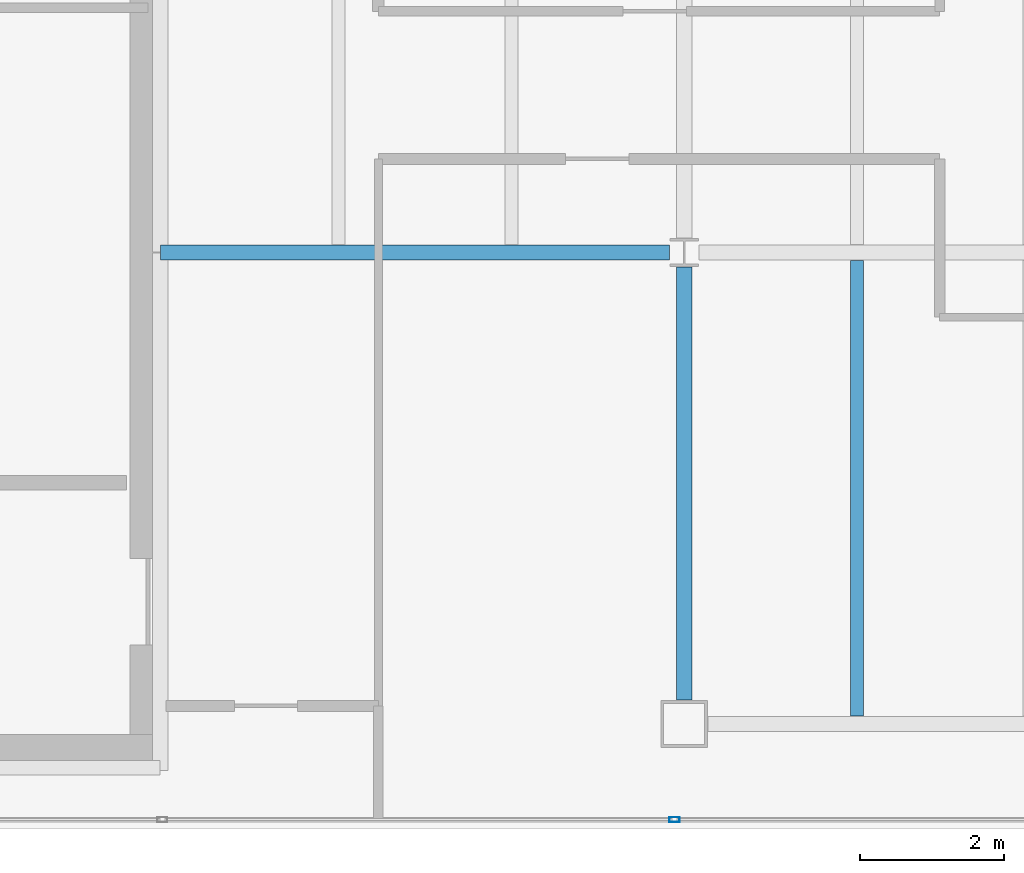
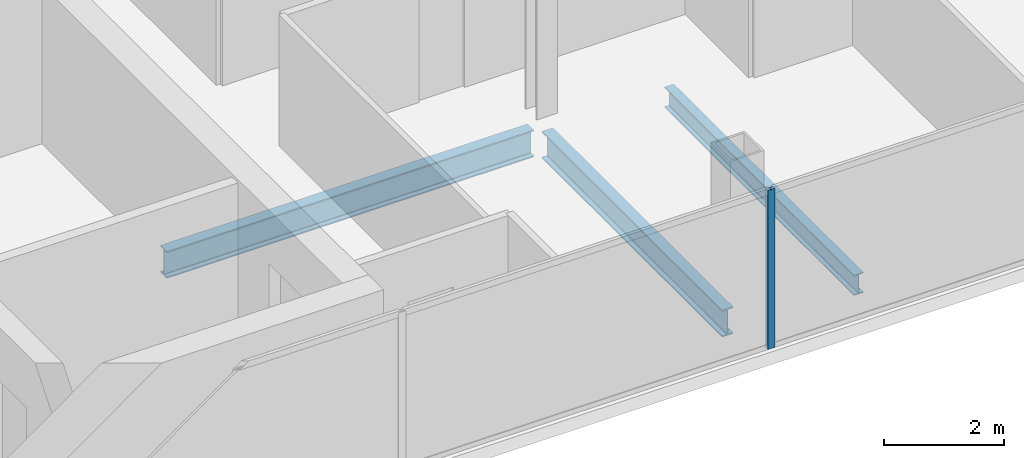
# One storey, part 5 of 23: 3 beams, 1 member, 1 element without a shape of its own.
"""IFC4 building model written with IfcOpenShell, lengths in metres."""

from ifc_helpers import new_model, si_unit, direction, frame, origin, origin_2d, place, context, subcontext, project, spatial, hollow_rectangle, i_section, extrude, material, material_profile, profile_set, type_object, element, aggregate, save


model = new_model("IFC4")

# Units and contexts
model_context = context("Model", 3, precision=1e-05, world=origin(), true_north=direction((0.0, 1.0)))
body_context = subcontext(model_context, "Body", "Model", "MODEL_VIEW")
ifc_project = project(units=[si_unit("LENGTHUNIT", "METRE"), si_unit("AREAUNIT", "SQUARE_METRE"), si_unit("VOLUMEUNIT", "CUBIC_METRE"), si_unit("PLANEANGLEUNIT", "RADIAN"), si_unit("MASSUNIT", "GRAM", prefix="KILO")], contexts=[model_context])

# Site, building, storey
site_placement = place(None, origin())
site = spatial("IfcSite", under=ifc_project, at=site_placement, CompositionType="ELEMENT")
building_placement = place(site_placement, origin())
building = spatial("IfcBuilding", under=site, at=building_placement, Name="Cobrela Telecom Tower", CompositionType="ELEMENT")
storey_placement = place(building_placement, frame((0.0, 0.0, 283.14990234375)))
storey = spatial("IfcBuildingStorey", under=building, at=storey_placement, Name="L74", CompositionType="ELEMENT", Elevation=283.14990234375)

# Beams
ifc_material_1 = material(Name="Steel ASTM A992 Grade 50", Category="steel")
ifc_material_profile_1 = material_profile(ifc_material_1, i_section(OverallWidth=0.212890625, OverallDepth=0.549072265625, WebThickness=0.0146484375, FlangeThickness=0.023681640625, FilletRadius=0.013916015625, at=origin_2d()), Name="W21X93")
ifc_profile_set_1 = profile_set([ifc_material_profile_1], Name="Steel ASTM A992 Grade 50")
beam_type_1 = type_object("IfcBeamType", Name="BM-GIRD-08", PredefinedType="USERDEFINED", material=ifc_profile_set_1)
beam_1_placement = place(storey_placement, frame((14.324951171875, 14.39990234375, -0.534423828125), z_axis=(1.0, 0.0, 0.0), x_axis=(0.0, 1.0, 0.0)))
element("IfcBeam", 1, at=beam_1_placement, inside=storey, type_object=beam_type_1, Name="L74 Primary Girder X05", ObjectType="GIRDER", PredefinedType="USERDEFINED", context=body_context, shape_type="SweptSolid", body=[
    extrude(i_section(OverallWidth=0.212890625, OverallDepth=0.549072265625, WebThickness=0.0146484375, FlangeThickness=0.023681640625, FilletRadius=0.013916015625, at=origin_2d()), origin(), (0.0, 0.0, 1.0), 7.070556640625),
])
beam_2_placement = place(storey_placement, frame((21.60009765625, 8.179931640625, -0.534423828125), z_axis=(0.0, 1.0, 0.0), x_axis=(-1.0, 0.0, 0.0)))
element("IfcBeam", 2, at=beam_2_placement, inside=storey, type_object=beam_type_1, Name="L74 Primary Girder Y27", ObjectType="GIRDER", PredefinedType="USERDEFINED", context=body_context, shape_type="SweptSolid", body=[
    extrude(i_section(OverallWidth=0.212890625, OverallDepth=0.549072265625, WebThickness=0.0146484375, FlangeThickness=0.023681640625, FilletRadius=0.013916015625, at=origin_2d()), origin(), (0.0, 0.0, 1.0), 6.015625),
])
ifc_material_profile_2 = material_profile(ifc_material_1, i_section(OverallWidth=0.179931640625, OverallDepth=0.4169921875, WebThickness=0.010986328125, FlangeThickness=0.01806640625, FilletRadius=0.011962890625, at=origin_2d()), Name="W16X57")
ifc_profile_set_2 = profile_set([ifc_material_profile_2], Name="Steel ASTM A992 Grade 50")
beam_type_2 = type_object("IfcBeamType", Name="BM-JOIST-04", PredefinedType="JOIST", material=ifc_profile_set_2)
beam_3_placement = place(storey_placement, frame((24.0, 7.96142578125, -0.468505859375), z_axis=(0.0, 1.0, 0.0), x_axis=(-1.0, 0.0, 0.0)))
element("IfcBeam", 3, at=beam_3_placement, inside=storey, type_object=beam_type_2, Name="L74 Secondary Composite Floor Beam J07", PredefinedType="JOIST", context=body_context, shape_type="SweptSolid", body=[
    extrude(i_section(OverallWidth=0.179931640625, OverallDepth=0.4169921875, WebThickness=0.010986328125, FlangeThickness=0.01806640625, FilletRadius=0.011962890625, at=origin_2d()), origin(), (0.0, 0.0, 1.0), 6.3271484375),
])

# Curtain wall, member
ifc_material_2 = material(Name="Anodized Bronze Aluminium 6063-T6", Category="aluminium")
curtain_wall_type = type_object("IfcCurtainWallType", Name="CW-SYS-OFF-HI", PredefinedType="USERDEFINED", material=ifc_material_2)
curtain_wall_placement = place(storey_placement, origin())
curtain_wall = element("IfcCurtainWall", 4, at=curtain_wall_placement, inside=storey, type_object=curtain_wall_type, Name="L74 Unitised Bronze Curtain Wall 15", ObjectType="UNITISED CURTAIN WALL", PredefinedType="USERDEFINED")
ifc_material_profile_3 = material_profile(ifc_material_2, hollow_rectangle(XDim=0.070068359375, YDim=0.139892578125, WallThickness=0.00390625, at=origin_2d()), Name="ALU 70x140x4")
ifc_profile_set_3 = profile_set([ifc_material_profile_3], Name="Anodized Bronze Aluminium 6063-T6")
member_type = type_object("IfcMemberType", Name="CW-SYS-OFF-HI-MUL", PredefinedType="MULLION", material=ifc_profile_set_3)
member_placement = place(storey_placement, frame((21.465087890625, 6.52001953125, 0.0), z_axis=(0.0, 0.0, 1.0), x_axis=(0.0, -1.0, 0.0)))
member = element("IfcMember", 5, at=member_placement, type_object=member_type, Name="CW-OFF-HI mullion 4", PredefinedType="MULLION", context=body_context, shape_type="SweptSolid", body=[
    extrude(hollow_rectangle(XDim=0.070068359375, YDim=0.139892578125, WallThickness=0.00390625, at=origin_2d()), origin(), (0.0, 0.0, 1.0), 3.239990234375),
])
aggregate(curtain_wall, [member])

save(model, "model.ifc")
